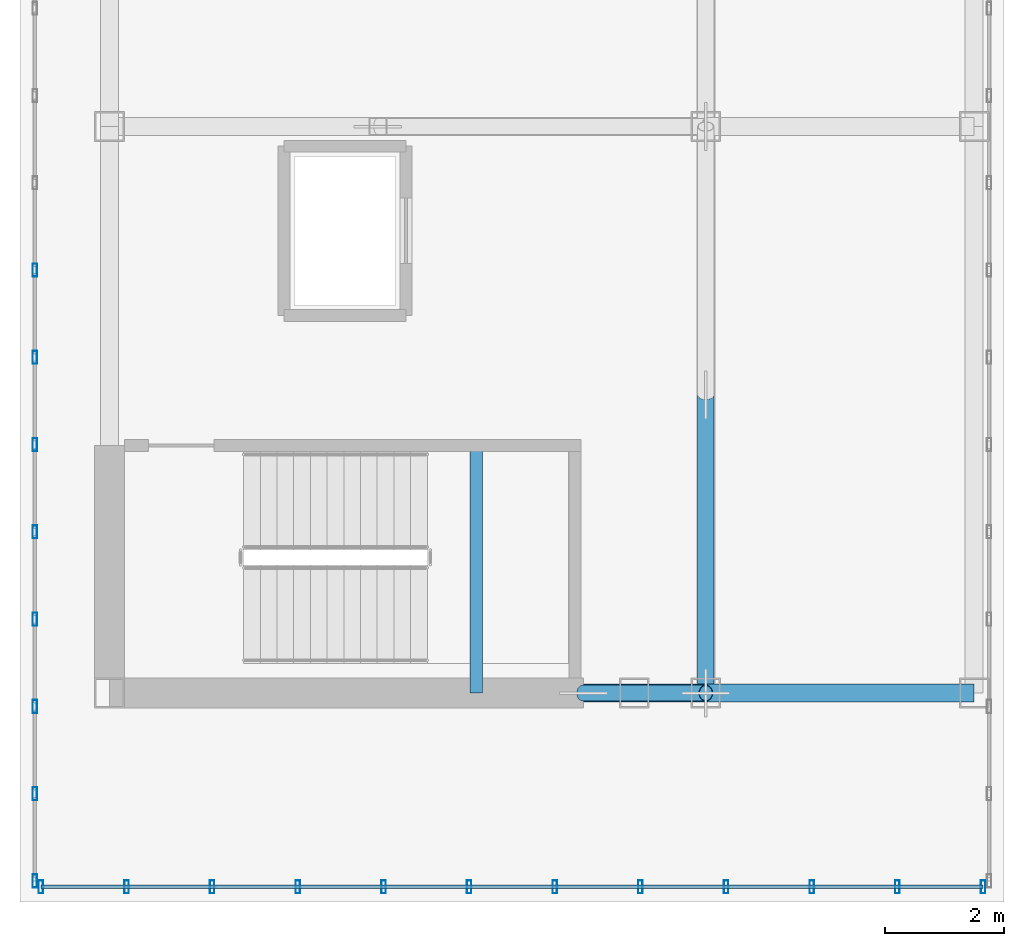
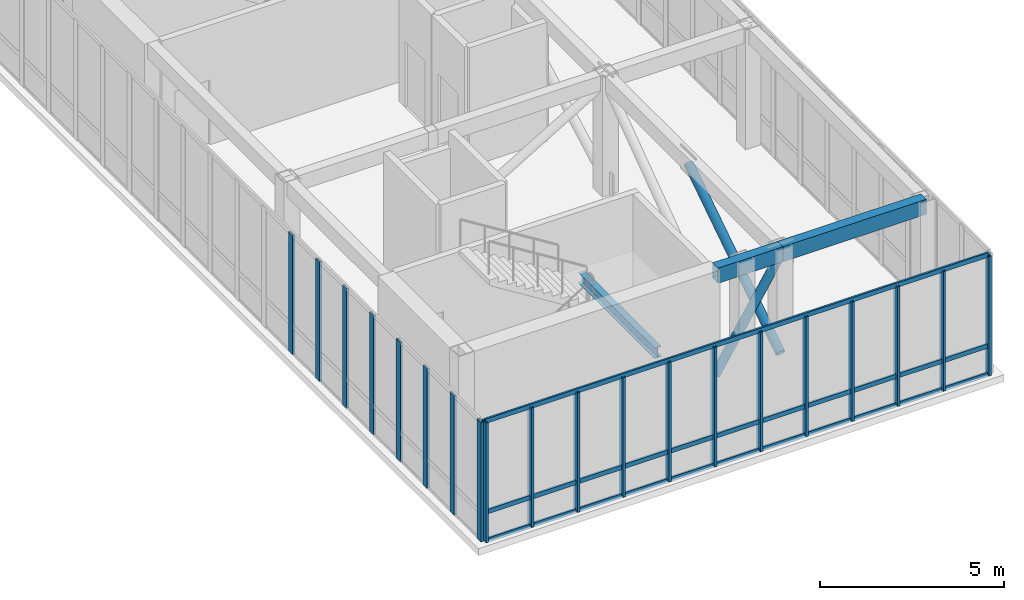
# One storey, part 2 of 13: 25 members, 3 beams, 2 elements without a shape of their own.
"""IFC4 building model written with IfcOpenShell, lengths in metres."""

from ifc_helpers import new_model, si_unit, direction, frame, origin, origin_2d, place, context, subcontext, project, spatial, hollow_rectangle, hollow_circle, i_section, extrude, source, transform, mapped, material, layer, layer_set, material_profile, profile_set, type_object, element, aggregate, save


model = new_model("IFC4")

# Units and contexts
model_context = context("Model", 3, precision=1e-05, world=origin(), true_north=direction((0.0, 1.0)))
body_context = subcontext(model_context, "Body", "Model", "MODEL_VIEW")
ifc_project = project(units=[si_unit("LENGTHUNIT", "METRE"), si_unit("AREAUNIT", "SQUARE_METRE"), si_unit("VOLUMEUNIT", "CUBIC_METRE"), si_unit("PLANEANGLEUNIT", "RADIAN"), si_unit("MASSUNIT", "GRAM", prefix="KILO")], contexts=[model_context])

# Site, building, storey
site_placement = place(None, origin())
site = spatial("IfcSite", under=ifc_project, at=site_placement, CompositionType="ELEMENT")
building_placement = place(site_placement, origin())
building = spatial("IfcBuilding", under=site, at=building_placement, Name="Kharzan Plaza Tower", CompositionType="ELEMENT")
storey_placement = place(building_placement, frame((0.0, 0.0, 289.800048828125)))
storey = spatial("IfcBuildingStorey", under=building, at=storey_placement, Name="L78-CROWN", CompositionType="ELEMENT", Elevation=289.800048828125)

# Beams
ifc_material_1 = material(Name="Steel S355", Category="steel")
ifc_material_profile_1 = material_profile(ifc_material_1, i_section(OverallWidth=0.205078125, OverallDepth=0.35400390625, WebThickness=0.009521484375, FlangeThickness=0.016845703125, at=origin_2d()), Name="W360x79")
ifc_profile_set_1 = profile_set([ifc_material_profile_1], Name="Steel S355")
beam_type_1 = type_object("IfcBeamType", Name="BM-LNT360", PredefinedType="LINTEL", material=ifc_profile_set_1)
shared_shape_1 = source(origin(), body_context, "Body", "SweptSolid", [
    extrude(i_section(OverallWidth=0.205078125, OverallDepth=0.35400390625, WebThickness=0.009521484375, FlangeThickness=0.016845703125, at=origin_2d()), origin(), (0.0, 0.0, 1.0), 4.155029296875),
])
beam_1_placement = place(storey_placement, frame((10.64990234375, 8.5, 1.722900390625), z_axis=(0.0, 1.0, 0.0), x_axis=(-1.0, 0.0, 0.0)))
element("IfcBeam", 1, at=beam_1_placement, inside=storey, type_object=beam_type_1, Name="L78-CROWN Stair ST-1 Half-Landing Beam", PredefinedType="LINTEL", context=body_context, shape_type="MappedRepresentation", body=[
    mapped(shared_shape_1, transform((0.0, 0.0, 0.0), x_axis=(1.0, 0.0, 0.0), y_axis=(0.0, 1.0, 0.0), z_axis=(0.0, 0.0, 1.0))),
])
ifc_material_profile_2 = material_profile(ifc_material_1, hollow_rectangle(XDim=0.300048828125, YDim=0.5, WallThickness=0.02001953125, at=origin_2d()), Name="RHS500x300x20")
ifc_profile_set_2 = profile_set([ifc_material_profile_2], Name="Steel S355")
beam_type_2 = type_object("IfcBeamType", Name="BM-CRN500", PredefinedType="BEAM", material=ifc_profile_set_2)
shared_shape_2 = source(origin(), body_context, "Body", "SweptSolid", [
    extrude(hollow_rectangle(XDim=0.300048828125, YDim=0.5, WallThickness=0.02001953125, at=origin_2d()), origin(), (0.0, 0.0, 1.0), 4.5),
])
beam_2_placement = place(storey_placement, frame((14.5, 8.5, 3.719970703125), z_axis=(1.0, 0.0, 0.0), x_axis=(0.0, 1.0, 0.0)))
element("IfcBeam", 2, at=beam_2_placement, inside=storey, type_object=beam_type_2, Name="L78-CROWN CROWN FRAME Lantern Ring Beam CRB-S3", PredefinedType="BEAM", context=body_context, shape_type="MappedRepresentation", body=[
    mapped(shared_shape_2, transform((0.0, 0.0, 0.0), x_axis=(1.0, 0.0, 0.0), y_axis=(0.0, 1.0, 0.0), z_axis=(0.0, 0.0, 1.0))),
])
shared_shape_3 = source(origin(), body_context, "Body", "SweptSolid", [
    extrude(hollow_rectangle(XDim=0.300048828125, YDim=0.5, WallThickness=0.02001953125, at=origin_2d()), origin(), (0.0, 0.0, 1.0), 2.050048828125),
])
beam_3_placement = place(storey_placement, frame((12.449951171875, 8.5, 3.719970703125), z_axis=(1.0, 0.0, 0.0), x_axis=(0.0, 1.0, 0.0)))
element("IfcBeam", 3, at=beam_3_placement, inside=storey, type_object=beam_type_2, Name="L78-CROWN CROWN FRAME Lantern Ring Beam CRB-S2", PredefinedType="BEAM", context=body_context, shape_type="MappedRepresentation", body=[
    mapped(shared_shape_3, transform((0.0, 0.0, 0.0), x_axis=(1.0, 0.0, 0.0), y_axis=(0.0, 1.0, 0.0), z_axis=(0.0, 0.0, 1.0))),
])

# Members
ifc_material_profile_3 = material_profile(ifc_material_1, hollow_circle(Radius=0.136474609375, WallThickness=0.010009765625, at=origin_2d()), Name="CHS273x10")
ifc_profile_set_3 = profile_set([ifc_material_profile_3], Name="Steel S355")
member_type_1 = type_object("IfcMemberType", Name="MEM-CRN-DIAG", PredefinedType="BRACE", material=ifc_profile_set_3)
shared_shape_4 = source(origin(), body_context, "Body", "SweptSolid", [
    extrude(hollow_circle(Radius=0.136474609375, WallThickness=0.010009765625, at=origin_2d()), origin(), (0.0, 0.0, 1.0), 3.859619140625),
])
member_1_placement = place(storey_placement, frame((12.449951171875, 8.5, 0.349853515625), z_axis=(0.531169756636, 0.0, 0.847265418647), x_axis=(0.0, 1.0, 0.0)))
element("IfcMember", 4, at=member_1_placement, inside=storey, type_object=member_type_1, Name="L78-CROWN CROWN FRAME Diagonal Wind Brace CRD-N2", PredefinedType="BRACE", context=body_context, shape_type="MappedRepresentation", body=[
    mapped(shared_shape_4, transform((0.0, 0.0, 0.0), x_axis=(1.0, 0.0, 0.0), y_axis=(0.0, 1.0, 0.0), z_axis=(0.0, 0.0, 1.0))),
])
shared_shape_5 = source(origin(), body_context, "Body", "SweptSolid", [
    extrude(hollow_circle(Radius=0.136474609375, WallThickness=0.010009765625, at=origin_2d()), origin(), (0.0, 0.0, 1.0), 5.974365234375),
])
member_2_placement = place(storey_placement, frame((14.5, 8.5, 0.349853515625), z_axis=(0.0, 0.836909137571, 0.547341845148), x_axis=(-1.0, 0.0, 0.0)))
element("IfcMember", 5, at=member_2_placement, inside=storey, type_object=member_type_1, Name="L78-CROWN CROWN FRAME Diagonal Wind Brace CRD-S1", PredefinedType="BRACE", context=body_context, shape_type="MappedRepresentation", body=[
    mapped(shared_shape_5, transform((0.0, 0.0, 0.0), x_axis=(1.0, 0.0, 0.0), y_axis=(0.0, 1.0, 0.0), z_axis=(0.0, 0.0, 1.0))),
])

# Curtain wall, members
ifc_material_2 = material(Name="Unitised Bronze-Anodized Aluminium and Low-E Glass", Category="aluminium")
ifc_layer = layer(ifc_material_2, 0.199951171875)
ifc_layer_set = layer_set([ifc_layer], Name="Unitised Bronze-Anodized Aluminium and Low-E Glass")
curtain_wall_type = type_object("IfcCurtainWallType", Name="CW-LANTERN-6", PredefinedType="NOTDEFINED", material=ifc_layer_set)
curtain_wall_1_placement = place(storey_placement, origin())
curtain_wall_1 = element("IfcCurtainWall", 6, at=curtain_wall_1_placement, inside=storey, type_object=curtain_wall_type, Name="L78-CROWN Lantern Crown Illuminated Curtain Wall 1", PredefinedType="NOTDEFINED")
ifc_material_3 = material(Name="Anodized Bronze Aluminium", Category="aluminium")
ifc_material_profile_4 = material_profile(ifc_material_3, hollow_rectangle(XDim=0.074951171875, YDim=0.219970703125, WallThickness=0.00390625, at=origin_2d()), Name="ALU-M220x75x4")
ifc_profile_set_4 = profile_set([ifc_material_profile_4], Name="Anodized Bronze Aluminium")
member_type_2 = type_object("IfcMemberType", Name="MEM-CW-MUL200", PredefinedType="MULLION", material=ifc_profile_set_4)
shared_shape_6 = source(origin(), body_context, "Body", "SweptSolid", [
    extrude(hollow_rectangle(XDim=0.074951171875, YDim=0.219970703125, WallThickness=0.00390625, at=origin_2d()), origin(), (0.0, 0.0, 1.0), 3.969970703125),
])
member_3_placement = place(storey_placement, frame((3.35009765625, 5.25, 0.0), z_axis=(0.0, 0.0, 1.0), x_axis=(1.0, 0.0, 0.0)))
member_3 = element("IfcMember", 7, at=member_3_placement, type_object=member_type_2, Name="L78-CROWN Curtain-Wall Mullion 00", PredefinedType="MULLION", context=body_context, shape_type="MappedRepresentation", body=[
    mapped(shared_shape_6, transform((0.0, 0.0, 0.0), x_axis=(1.0, 0.0, 0.0), y_axis=(0.0, 1.0, 0.0), z_axis=(0.0, 0.0, 1.0))),
])
member_4_placement = place(storey_placement, frame((4.786376953125, 5.25, 0.0), z_axis=(0.0, 0.0, 1.0), x_axis=(1.0, 0.0, 0.0)))
member_4 = element("IfcMember", 8, at=member_4_placement, type_object=member_type_2, Name="L78-CROWN Curtain-Wall Mullion 01", PredefinedType="MULLION", context=body_context, shape_type="MappedRepresentation", body=[
    mapped(shared_shape_6, transform((0.0, 0.0, 0.0), x_axis=(1.0, 0.0, 0.0), y_axis=(0.0, 1.0, 0.0), z_axis=(0.0, 0.0, 1.0))),
])
member_5_placement = place(storey_placement, frame((6.22265625, 5.25, 0.0), z_axis=(0.0, 0.0, 1.0), x_axis=(1.0, 0.0, 0.0)))
member_5 = element("IfcMember", 9, at=member_5_placement, type_object=member_type_2, Name="L78-CROWN Curtain-Wall Mullion 02", PredefinedType="MULLION", context=body_context, shape_type="MappedRepresentation", body=[
    mapped(shared_shape_6, transform((0.0, 0.0, 0.0), x_axis=(1.0, 0.0, 0.0), y_axis=(0.0, 1.0, 0.0), z_axis=(0.0, 0.0, 1.0))),
])
member_6_placement = place(storey_placement, frame((7.6591796875, 5.25, 0.0), z_axis=(0.0, 0.0, 1.0), x_axis=(1.0, 0.0, 0.0)))
member_6 = element("IfcMember", 10, at=member_6_placement, type_object=member_type_2, Name="L78-CROWN Curtain-Wall Mullion 03", PredefinedType="MULLION", context=body_context, shape_type="MappedRepresentation", body=[
    mapped(shared_shape_6, transform((0.0, 0.0, 0.0), x_axis=(1.0, 0.0, 0.0), y_axis=(0.0, 1.0, 0.0), z_axis=(0.0, 0.0, 1.0))),
])
member_7_placement = place(storey_placement, frame((9.095458984375, 5.25, 0.0), z_axis=(0.0, 0.0, 1.0), x_axis=(1.0, 0.0, 0.0)))
member_7 = element("IfcMember", 11, at=member_7_placement, type_object=member_type_2, Name="L78-CROWN Curtain-Wall Mullion 04", PredefinedType="MULLION", context=body_context, shape_type="MappedRepresentation", body=[
    mapped(shared_shape_6, transform((0.0, 0.0, 0.0), x_axis=(1.0, 0.0, 0.0), y_axis=(0.0, 1.0, 0.0), z_axis=(0.0, 0.0, 1.0))),
])
member_8_placement = place(storey_placement, frame((10.53173828125, 5.25, 0.0), z_axis=(0.0, 0.0, 1.0), x_axis=(1.0, 0.0, 0.0)))
member_8 = element("IfcMember", 12, at=member_8_placement, type_object=member_type_2, Name="L78-CROWN Curtain-Wall Mullion 05", PredefinedType="MULLION", context=body_context, shape_type="MappedRepresentation", body=[
    mapped(shared_shape_6, transform((0.0, 0.0, 0.0), x_axis=(1.0, 0.0, 0.0), y_axis=(0.0, 1.0, 0.0), z_axis=(0.0, 0.0, 1.0))),
])
member_9_placement = place(storey_placement, frame((11.96826171875, 5.25, 0.0), z_axis=(0.0, 0.0, 1.0), x_axis=(1.0, 0.0, 0.0)))
member_9 = element("IfcMember", 13, at=member_9_placement, type_object=member_type_2, Name="L78-CROWN Curtain-Wall Mullion 06", PredefinedType="MULLION", context=body_context, shape_type="MappedRepresentation", body=[
    mapped(shared_shape_6, transform((0.0, 0.0, 0.0), x_axis=(1.0, 0.0, 0.0), y_axis=(0.0, 1.0, 0.0), z_axis=(0.0, 0.0, 1.0))),
])
member_10_placement = place(storey_placement, frame((13.404541015625, 5.25, 0.0), z_axis=(0.0, 0.0, 1.0), x_axis=(1.0, 0.0, 0.0)))
member_10 = element("IfcMember", 14, at=member_10_placement, type_object=member_type_2, Name="L78-CROWN Curtain-Wall Mullion 07", PredefinedType="MULLION", context=body_context, shape_type="MappedRepresentation", body=[
    mapped(shared_shape_6, transform((0.0, 0.0, 0.0), x_axis=(1.0, 0.0, 0.0), y_axis=(0.0, 1.0, 0.0), z_axis=(0.0, 0.0, 1.0))),
])
member_11_placement = place(storey_placement, frame((14.8408203125, 5.25, 0.0), z_axis=(0.0, 0.0, 1.0), x_axis=(1.0, 0.0, 0.0)))
member_11 = element("IfcMember", 15, at=member_11_placement, type_object=member_type_2, Name="L78-CROWN Curtain-Wall Mullion 08", PredefinedType="MULLION", context=body_context, shape_type="MappedRepresentation", body=[
    mapped(shared_shape_6, transform((0.0, 0.0, 0.0), x_axis=(1.0, 0.0, 0.0), y_axis=(0.0, 1.0, 0.0), z_axis=(0.0, 0.0, 1.0))),
])
member_12_placement = place(storey_placement, frame((16.27734375, 5.25, 0.0), z_axis=(0.0, 0.0, 1.0), x_axis=(1.0, 0.0, 0.0)))
member_12 = element("IfcMember", 16, at=member_12_placement, type_object=member_type_2, Name="L78-CROWN Curtain-Wall Mullion 09", PredefinedType="MULLION", context=body_context, shape_type="MappedRepresentation", body=[
    mapped(shared_shape_6, transform((0.0, 0.0, 0.0), x_axis=(1.0, 0.0, 0.0), y_axis=(0.0, 1.0, 0.0), z_axis=(0.0, 0.0, 1.0))),
])
member_13_placement = place(storey_placement, frame((17.713623046875, 5.25, 0.0), z_axis=(0.0, 0.0, 1.0), x_axis=(1.0, 0.0, 0.0)))
member_13 = element("IfcMember", 17, at=member_13_placement, type_object=member_type_2, Name="L78-CROWN Curtain-Wall Mullion 10", PredefinedType="MULLION", context=body_context, shape_type="MappedRepresentation", body=[
    mapped(shared_shape_6, transform((0.0, 0.0, 0.0), x_axis=(1.0, 0.0, 0.0), y_axis=(0.0, 1.0, 0.0), z_axis=(0.0, 0.0, 1.0))),
])
member_14_placement = place(storey_placement, frame((19.14990234375, 5.25, 0.0), z_axis=(0.0, 0.0, 1.0), x_axis=(1.0, 0.0, 0.0)))
member_14 = element("IfcMember", 18, at=member_14_placement, type_object=member_type_2, Name="L78-CROWN Curtain-Wall Mullion 11", PredefinedType="MULLION", context=body_context, shape_type="MappedRepresentation", body=[
    mapped(shared_shape_6, transform((0.0, 0.0, 0.0), x_axis=(1.0, 0.0, 0.0), y_axis=(0.0, 1.0, 0.0), z_axis=(0.0, 0.0, 1.0))),
])

curtain_wall_2_placement = place(storey_placement, origin())
curtain_wall_2 = element("IfcCurtainWall", 19, at=curtain_wall_2_placement, inside=storey, type_object=curtain_wall_type, Name="L78-CROWN Lantern Crown Illuminated Curtain Wall 4", PredefinedType="NOTDEFINED")
member_15_placement = place(storey_placement, frame((3.25, 15.592041015625, 0.0), z_axis=(0.0, 0.0, 1.0), x_axis=(1.0, 0.0, 0.0)))
member_15 = element("IfcMember", 20, at=member_15_placement, type_object=member_type_2, Name="L78-CROWN Curtain-Wall Mullion 12", PredefinedType="MULLION", context=body_context, shape_type="MappedRepresentation", body=[
    mapped(shared_shape_6, transform((0.0, 0.0, 0.0), x_axis=(1.0, 0.0, 0.0), y_axis=(0.0, 1.0, 0.0), z_axis=(0.0, 0.0, 1.0))),
])
member_16_placement = place(storey_placement, frame((3.25, 14.12890625, 0.0), z_axis=(0.0, 0.0, 1.0), x_axis=(1.0, 0.0, 0.0)))
member_16 = element("IfcMember", 21, at=member_16_placement, type_object=member_type_2, Name="L78-CROWN Curtain-Wall Mullion 13", PredefinedType="MULLION", context=body_context, shape_type="MappedRepresentation", body=[
    mapped(shared_shape_6, transform((0.0, 0.0, 0.0), x_axis=(1.0, 0.0, 0.0), y_axis=(0.0, 1.0, 0.0), z_axis=(0.0, 0.0, 1.0))),
])
member_17_placement = place(storey_placement, frame((3.25, 12.665771484375, 0.0), z_axis=(0.0, 0.0, 1.0), x_axis=(1.0, 0.0, 0.0)))
member_17 = element("IfcMember", 22, at=member_17_placement, type_object=member_type_2, Name="L78-CROWN Curtain-Wall Mullion 14", PredefinedType="MULLION", context=body_context, shape_type="MappedRepresentation", body=[
    mapped(shared_shape_6, transform((0.0, 0.0, 0.0), x_axis=(1.0, 0.0, 0.0), y_axis=(0.0, 1.0, 0.0), z_axis=(0.0, 0.0, 1.0))),
])
member_18_placement = place(storey_placement, frame((3.25, 11.20263671875, 0.0), z_axis=(0.0, 0.0, 1.0), x_axis=(1.0, 0.0, 0.0)))
member_18 = element("IfcMember", 23, at=member_18_placement, type_object=member_type_2, Name="L78-CROWN Curtain-Wall Mullion 15", PredefinedType="MULLION", context=body_context, shape_type="MappedRepresentation", body=[
    mapped(shared_shape_6, transform((0.0, 0.0, 0.0), x_axis=(1.0, 0.0, 0.0), y_axis=(0.0, 1.0, 0.0), z_axis=(0.0, 0.0, 1.0))),
])
member_19_placement = place(storey_placement, frame((3.25, 9.739501953125, 0.0), z_axis=(0.0, 0.0, 1.0), x_axis=(1.0, 0.0, 0.0)))
member_19 = element("IfcMember", 24, at=member_19_placement, type_object=member_type_2, Name="L78-CROWN Curtain-Wall Mullion 16", PredefinedType="MULLION", context=body_context, shape_type="MappedRepresentation", body=[
    mapped(shared_shape_6, transform((0.0, 0.0, 0.0), x_axis=(1.0, 0.0, 0.0), y_axis=(0.0, 1.0, 0.0), z_axis=(0.0, 0.0, 1.0))),
])
member_20_placement = place(storey_placement, frame((3.25, 8.2763671875, 0.0), z_axis=(0.0, 0.0, 1.0), x_axis=(1.0, 0.0, 0.0)))
member_20 = element("IfcMember", 25, at=member_20_placement, type_object=member_type_2, Name="L78-CROWN Curtain-Wall Mullion 17", PredefinedType="MULLION", context=body_context, shape_type="MappedRepresentation", body=[
    mapped(shared_shape_6, transform((0.0, 0.0, 0.0), x_axis=(1.0, 0.0, 0.0), y_axis=(0.0, 1.0, 0.0), z_axis=(0.0, 0.0, 1.0))),
])
member_21_placement = place(storey_placement, frame((3.25, 6.813232421875, 0.0), z_axis=(0.0, 0.0, 1.0), x_axis=(1.0, 0.0, 0.0)))
member_21 = element("IfcMember", 26, at=member_21_placement, type_object=member_type_2, Name="L78-CROWN Curtain-Wall Mullion 18", PredefinedType="MULLION", context=body_context, shape_type="MappedRepresentation", body=[
    mapped(shared_shape_6, transform((0.0, 0.0, 0.0), x_axis=(1.0, 0.0, 0.0), y_axis=(0.0, 1.0, 0.0), z_axis=(0.0, 0.0, 1.0))),
])
member_22_placement = place(storey_placement, frame((3.25, 5.35009765625, 0.0), z_axis=(0.0, 0.0, 1.0), x_axis=(1.0, 0.0, 0.0)))
member_22 = element("IfcMember", 27, at=member_22_placement, type_object=member_type_2, Name="L78-CROWN Curtain-Wall Mullion 19", PredefinedType="MULLION", context=body_context, shape_type="MappedRepresentation", body=[
    mapped(shared_shape_6, transform((0.0, 0.0, 0.0), x_axis=(1.0, 0.0, 0.0), y_axis=(0.0, 1.0, 0.0), z_axis=(0.0, 0.0, 1.0))),
])
aggregate(curtain_wall_2, [member_15, member_16, member_17, member_18, member_19, member_20, member_21, member_22])

# Member
ifc_material_profile_5 = material_profile(ifc_material_3, hollow_rectangle(XDim=0.06005859375, YDim=0.14990234375, WallThickness=0.00341796875, at=origin_2d()), Name="ALU-T150x60x3.5")
ifc_profile_set_5 = profile_set([ifc_material_profile_5], Name="Anodized Bronze Aluminium")
member_type_3 = type_object("IfcMemberType", Name="MEM-CW-TRN150", PredefinedType="USERDEFINED", material=ifc_profile_set_5)
shared_shape_7 = source(origin(), body_context, "Body", "SweptSolid", [
    extrude(hollow_rectangle(XDim=0.06005859375, YDim=0.14990234375, WallThickness=0.00341796875, at=origin_2d()), origin(), (0.0, 0.0, 1.0), 15.7998046875),
])
member_23_placement = place(storey_placement, frame((3.35009765625, 5.25, 0.0), z_axis=(1.0, 0.0, 0.0), x_axis=(0.0, 1.0, 0.0)))
member_23 = element("IfcMember", 28, at=member_23_placement, type_object=member_type_3, Name="L78-CROWN Curtain-Wall Transom 1", ObjectType="TRANSOM", PredefinedType="USERDEFINED", context=body_context, shape_type="MappedRepresentation", body=[
    mapped(shared_shape_7, transform((0.0, 0.0, 0.0), x_axis=(1.0, 0.0, 0.0), y_axis=(0.0, 1.0, 0.0), z_axis=(0.0, 0.0, 1.0))),
])

member_24_placement = place(storey_placement, frame((3.35009765625, 5.25, 0.949951171875), z_axis=(1.0, 0.0, 0.0), x_axis=(0.0, 1.0, 0.0)))
member_24 = element("IfcMember", 29, at=member_24_placement, type_object=member_type_3, Name="L78-CROWN Curtain-Wall Transom 2", ObjectType="TRANSOM", PredefinedType="USERDEFINED", context=body_context, shape_type="MappedRepresentation", body=[
    mapped(shared_shape_7, transform((0.0, 0.0, 0.0), x_axis=(1.0, 0.0, 0.0), y_axis=(0.0, 1.0, 0.0), z_axis=(0.0, 0.0, 1.0))),
])

member_25_placement = place(storey_placement, frame((3.35009765625, 5.25, 3.969970703125), z_axis=(1.0, 0.0, 0.0), x_axis=(0.0, 1.0, 0.0)))
member_25 = element("IfcMember", 30, at=member_25_placement, type_object=member_type_3, Name="L78-CROWN Curtain-Wall Transom 3", ObjectType="TRANSOM", PredefinedType="USERDEFINED", context=body_context, shape_type="MappedRepresentation", body=[
    mapped(shared_shape_7, transform((0.0, 0.0, 0.0), x_axis=(1.0, 0.0, 0.0), y_axis=(0.0, 1.0, 0.0), z_axis=(0.0, 0.0, 1.0))),
])

aggregate(curtain_wall_1, [member_3, member_4, member_5, member_6, member_7, member_8, member_9, member_10, member_11, member_12, member_13, member_14, member_23, member_24, member_25])

save(model, "model.ifc")
